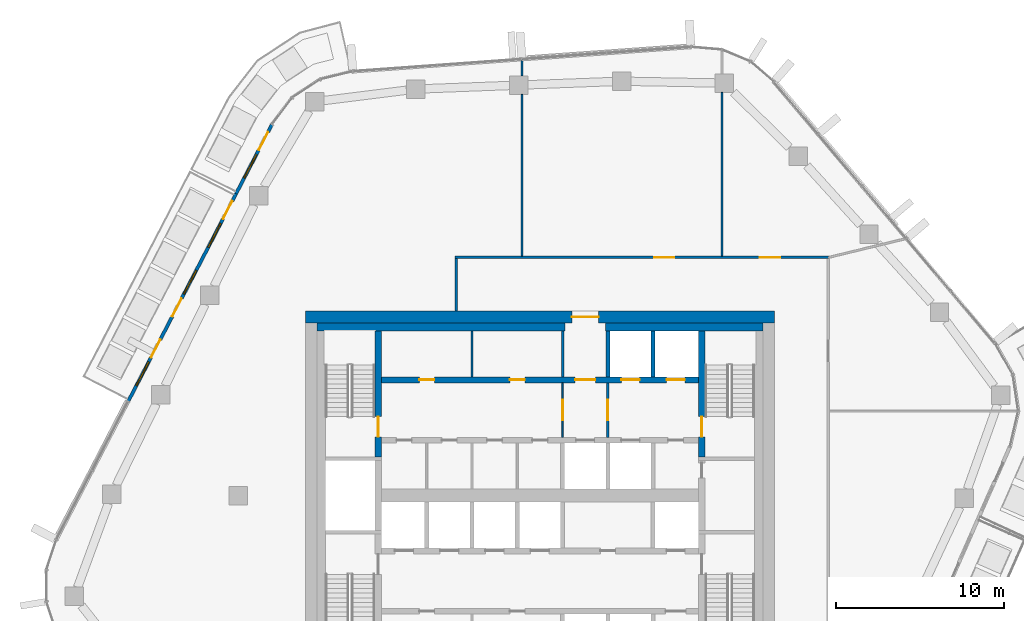
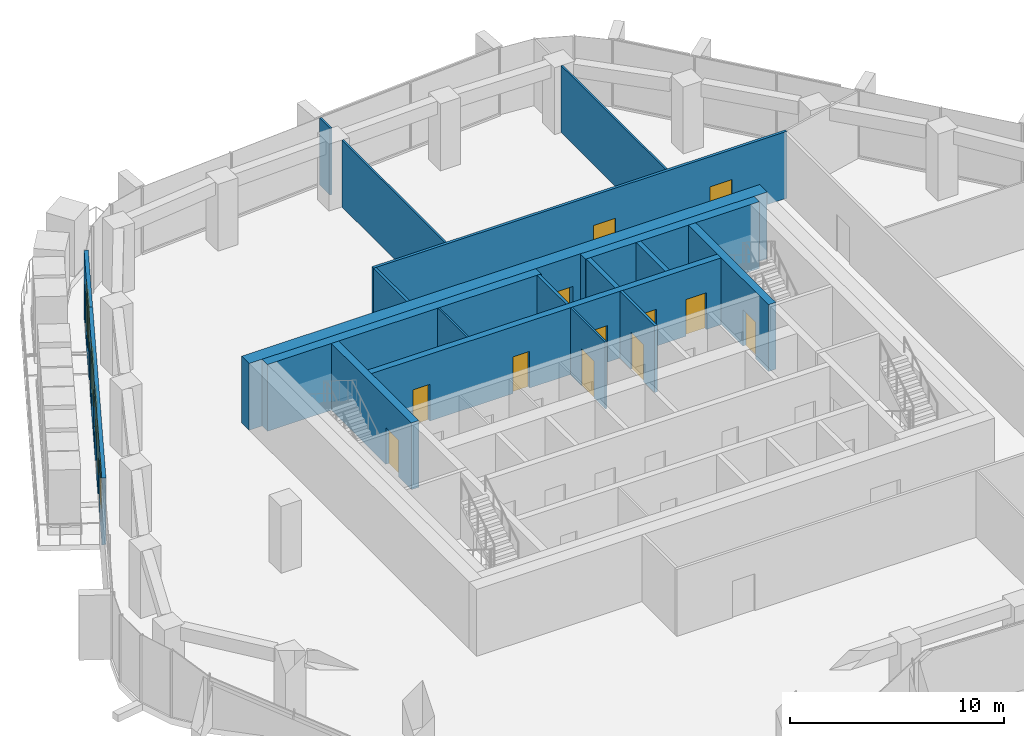
# One storey, part 13 of 21: 19 walls, 16 doors, 4 windows, 20 openings.
"""IFC4 building model written with IfcOpenShell, lengths in metres."""

from ifc_helpers import new_model, si_unit, direction, frame, frame_2d, origin, place, context, subcontext, project, spatial, rectangle, extrude, material, layer, layer_set, type_object, element, fill, save


model = new_model("IFC4")

# Units and contexts
model_context = context("Model", 3, precision=1e-05, world=origin(), true_north=direction((0.0, 1.0)))
body_context = subcontext(model_context, "Body", "Model", "MODEL_VIEW")
ifc_project = project(units=[si_unit("LENGTHUNIT", "METRE"), si_unit("AREAUNIT", "SQUARE_METRE"), si_unit("VOLUMEUNIT", "CUBIC_METRE"), si_unit("PLANEANGLEUNIT", "RADIAN"), si_unit("MASSUNIT", "GRAM", prefix="KILO")], contexts=[model_context])

# Site, building, storey
site_placement = place(None, origin())
site = spatial("IfcSite", under=ifc_project, at=site_placement, CompositionType="ELEMENT")
building_placement = place(site_placement, origin())
building = spatial("IfcBuilding", under=site, at=building_placement, Name="Dongbaek Canopy Tower", CompositionType="ELEMENT")
storey_placement = place(building_placement, frame((0.0, 0.0, 274.800048828125)))
storey = spatial("IfcBuildingStorey", under=building, at=storey_placement, Name="L58", CompositionType="ELEMENT", Elevation=274.800048828125)

# Wall, openings, doors
ifc_material_1 = material(Name="Concrete C60/75", Category="concrete")
ifc_layer_1 = layer(ifc_material_1, 0.35009765625)
ifc_layer_set_1 = layer_set([ifc_layer_1], Name="Core lobby wall 350 Concrete C60/75")
wall_type_1 = type_object("IfcWallType", Name="Core lobby wall 350 Concrete C60/75", PredefinedType="SHEAR", material=ifc_layer_set_1)
wall_1_placement = place(storey_placement, frame((-9.449951171875, 6.89990234375, 0.0), z_axis=(0.0, 0.0, 1.0), x_axis=(1.0, 0.0, 0.0)))
wall_1 = element("IfcWall", 1, at=wall_1_placement, inside=storey, type_object=wall_type_1, Name="Core wall", PredefinedType="SHEAR", context=body_context, shape_type="SweptSolid", body=[
    extrude(rectangle(XDim=18.89990234375, YDim=0.35009765625, at=frame_2d((9.449951171875, 0.0))), origin(), (0.0, 0.0, 1.0), 3.820068359375),
])
opening_1_placement = place(wall_1_placement, frame((11.550048828125, 0.0, 0.0)))
opening_1 = element("IfcOpeningElement", 2, at=opening_1_placement, cuts=wall_1, Name="Opening L58-D008", PredefinedType="OPENING", context=body_context, shape_type="SweptSolid", body=[
    extrude(rectangle(XDim=1.199951171875, YDim=2.10009765625, at=frame_2d((0.60009765625, 1.050048828125))), frame((0.0, 0.18505859375, 0.0), z_axis=(0.0, -1.0, 0.0), x_axis=(1.0, 0.0, 0.0)), (0.0, 0.0, 1.0), 0.3701171875),
])
opening_2_placement = place(wall_1_placement, frame((14.300048828125, 0.0, 0.0)))
opening_2 = element("IfcOpeningElement", 3, at=opening_2_placement, cuts=wall_1, Name="Opening L58-D009", PredefinedType="OPENING", context=body_context, shape_type="SweptSolid", body=[
    extrude(rectangle(XDim=1.10009765625, YDim=2.10009765625, at=frame_2d((0.550048828125, 1.050048828125))), frame((0.0, 0.18505859375, 0.0), z_axis=(0.0, -1.0, 0.0), x_axis=(1.0, 0.0, 0.0)), (0.0, 0.0, 1.0), 0.3701171875),
])
opening_3_placement = place(wall_1_placement, frame((17.0, 0.0, 0.0)))
opening_3 = element("IfcOpeningElement", 4, at=opening_3_placement, cuts=wall_1, Name="Opening L58-D010", PredefinedType="OPENING", context=body_context, shape_type="SweptSolid", body=[
    extrude(rectangle(XDim=1.10009765625, YDim=2.10009765625, at=frame_2d((0.550048828125, 1.050048828125))), frame((0.0, 0.18505859375, 0.0), z_axis=(0.0, -1.0, 0.0), x_axis=(1.0, 0.0, 0.0)), (0.0, 0.0, 1.0), 0.3701171875),
])
opening_4_placement = place(wall_1_placement, frame((2.25, 0.0, 0.0)))
opening_4 = element("IfcOpeningElement", 5, at=opening_4_placement, cuts=wall_1, Name="Opening L58-D021", PredefinedType="OPENING", context=body_context, shape_type="SweptSolid", body=[
    extrude(rectangle(XDim=0.89990234375, YDim=2.10009765625, at=frame_2d((0.449951171875, 1.050048828125))), frame((0.0, 0.18505859375, 0.0), z_axis=(0.0, -1.0, 0.0), x_axis=(1.0, 0.0, 0.0)), (0.0, 0.0, 1.0), 0.3701171875),
])
opening_5_placement = place(wall_1_placement, frame((7.64990234375, 0.0, 0.0)))
opening_5 = element("IfcOpeningElement", 6, at=opening_5_placement, cuts=wall_1, Name="Opening L58-D022", PredefinedType="OPENING", context=body_context, shape_type="SweptSolid", body=[
    extrude(rectangle(XDim=0.89990234375, YDim=2.10009765625, at=frame_2d((0.449951171875, 1.050048828125))), frame((0.0, 0.18505859375, 0.0), z_axis=(0.0, -1.0, 0.0), x_axis=(1.0, 0.0, 0.0)), (0.0, 0.0, 1.0), 0.3701171875),
])
ifc_material_2 = material(Name="Steel", Category="steel")
door_type_1 = type_object("IfcDoorType", Name="Core room door 900 x 2100", OperationType="SINGLE_SWING_LEFT", PredefinedType="DOOR", material=ifc_material_2)
door_1_placement = place(opening_4_placement, origin())
door_1 = element("IfcDoor", 7, at=door_1_placement, inside=storey, type_object=door_type_1, Name="Door L58-D021", OperationType="SINGLE_SWING_RIGHT", OverallHeight=2.10009765625, OverallWidth=0.89990234375, PredefinedType="DOOR", context=body_context, shape_type="SweptSolid", body=[
    extrude(rectangle(XDim=0.89990234375, YDim=2.10009765625, at=frame_2d((0.449951171875, 1.050048828125))), frame((0.0, 0.02490234375, 0.0), z_axis=(0.0, -1.0, 0.0), x_axis=(1.0, 0.0, 0.0)), (0.0, 0.0, 1.0), 0.050048828125),
])
fill(opening_4, door_1)
door_2_placement = place(opening_5_placement, origin())
door_2 = element("IfcDoor", 8, at=door_2_placement, inside=storey, type_object=door_type_1, Name="Door L58-D022", OperationType="SINGLE_SWING_LEFT", OverallHeight=2.10009765625, OverallWidth=0.89990234375, PredefinedType="DOOR", context=body_context, shape_type="SweptSolid", body=[
    extrude(rectangle(XDim=0.89990234375, YDim=2.10009765625, at=frame_2d((0.449951171875, 1.050048828125))), frame((0.0, 0.02490234375, 0.0), z_axis=(0.0, -1.0, 0.0), x_axis=(1.0, 0.0, 0.0)), (0.0, 0.0, 1.0), 0.050048828125),
])
fill(opening_5, door_2)
ifc_material_3 = material(Name="Steel", Category="steel")
door_type_2 = type_object("IfcDoorType", Name="Fire lobby door 1200 x 2100", OperationType="SINGLE_SWING_LEFT", PredefinedType="DOOR", material=ifc_material_3)
door_3_placement = place(opening_1_placement, origin())
door_3 = element("IfcDoor", 9, at=door_3_placement, inside=storey, type_object=door_type_2, Name="Door L58-D008", OperationType="SINGLE_SWING_LEFT", OverallHeight=2.10009765625, OverallWidth=1.199951171875, PredefinedType="DOOR", context=body_context, shape_type="SweptSolid", body=[
    extrude(rectangle(XDim=1.199951171875, YDim=2.10009765625, at=frame_2d((0.60009765625, 1.050048828125))), frame((0.0, 0.02490234375, 0.0), z_axis=(0.0, -1.0, 0.0), x_axis=(1.0, 0.0, 0.0)), (0.0, 0.0, 1.0), 0.050048828125),
])
fill(opening_1, door_3)
ifc_material_4 = material(Name="Stainless steel", Category="steel")
door_type_3 = type_object("IfcDoorType", Name="Lift landing door 1100 x 2100", OperationType="DOUBLE_DOOR_SLIDING", PredefinedType="DOOR", material=ifc_material_4)
door_4_placement = place(opening_2_placement, origin())
door_4 = element("IfcDoor", 10, at=door_4_placement, inside=storey, type_object=door_type_3, Name="Landing door FF1", OperationType="DOUBLE_DOOR_SLIDING", OverallHeight=2.10009765625, OverallWidth=1.10009765625, PredefinedType="DOOR", context=body_context, shape_type="SweptSolid", body=[
    extrude(rectangle(XDim=1.10009765625, YDim=2.10009765625, at=frame_2d((0.550048828125, 1.050048828125))), frame((0.0, 0.02490234375, 0.0), z_axis=(0.0, -1.0, 0.0), x_axis=(1.0, 0.0, 0.0)), (0.0, 0.0, 1.0), 0.050048828125),
])
fill(opening_2, door_4)
door_5_placement = place(opening_3_placement, origin())
door_5 = element("IfcDoor", 11, at=door_5_placement, inside=storey, type_object=door_type_3, Name="Landing door FF2", OperationType="DOUBLE_DOOR_SLIDING", OverallHeight=2.10009765625, OverallWidth=1.10009765625, PredefinedType="DOOR", context=body_context, shape_type="SweptSolid", body=[
    extrude(rectangle(XDim=1.10009765625, YDim=2.10009765625, at=frame_2d((0.550048828125, 1.050048828125))), frame((0.0, 0.02490234375, 0.0), z_axis=(0.0, -1.0, 0.0), x_axis=(1.0, 0.0, 0.0)), (0.0, 0.0, 1.0), 0.050048828125),
])
fill(opening_3, door_5)

# Wall, opening, door
ifc_material_5 = material(Name="Concrete C70/85", Category="concrete")
ifc_layer_2 = layer(ifc_material_5, 0.699951171875)
ifc_layer_set_2 = layer_set([ifc_layer_2], Name="Core outer wall 700 Concrete C70/85")
wall_type_2 = type_object("IfcWallType", Name="Core outer wall 700 Concrete C70/85", PredefinedType="SHEAR", material=ifc_layer_set_2)
wall_2_placement = place(storey_placement, frame((-14.0, 10.64990234375, 0.0), z_axis=(0.0, 0.0, 1.0), x_axis=(1.0, 0.0, 0.0)))
wall_2 = element("IfcWall", 12, at=wall_2_placement, inside=storey, type_object=wall_type_2, Name="Core wall", PredefinedType="SHEAR", context=body_context, shape_type="SweptSolid", body=[
    extrude(rectangle(XDim=28.0, YDim=0.699951171875, at=frame_2d((14.0, 0.0))), origin(), (0.0, 0.0, 1.0), 3.820068359375),
])
opening_6_placement = place(wall_2_placement, frame((15.89990234375, 0.0, 0.0)))
opening_6 = element("IfcOpeningElement", 13, at=opening_6_placement, cuts=wall_2, Name="Opening L58-D007", PredefinedType="OPENING", context=body_context, shape_type="SweptSolid", body=[
    extrude(rectangle(XDim=1.60009765625, YDim=2.10009765625, at=frame_2d((0.800048828125, 1.050048828125))), frame((0.0, 0.35986328125, 0.0), z_axis=(0.0, -1.0, 0.0), x_axis=(1.0, 0.0, 0.0)), (0.0, 0.0, 1.0), 0.719970703125),
])
ifc_material_6 = material(Name="Steel", Category="steel")
door_type_4 = type_object("IfcDoorType", Name="Core exit door 1600 x 2100", OperationType="DOUBLE_DOOR_SINGLE_SWING", PredefinedType="DOOR", material=ifc_material_6)
door_6_placement = place(opening_6_placement, origin())
door_6 = element("IfcDoor", 14, at=door_6_placement, inside=storey, type_object=door_type_4, Name="Core exit door", OperationType="DOUBLE_DOOR_SINGLE_SWING", OverallHeight=2.10009765625, OverallWidth=1.60009765625, PredefinedType="DOOR", context=body_context, shape_type="SweptSolid", body=[
    extrude(rectangle(XDim=1.60009765625, YDim=2.10009765625, at=frame_2d((0.800048828125, 1.050048828125))), frame((0.0, 0.02490234375, 0.0), z_axis=(0.0, -1.0, 0.0), x_axis=(1.0, 0.0, 0.0)), (0.0, 0.0, 1.0), 0.050048828125),
])
fill(opening_6, door_6)

# Walls
ifc_material_7 = material(Name="Concrete C60/75", Category="concrete")
ifc_layer_3 = layer(ifc_material_7, 0.5)
ifc_layer_set_3 = layer_set([ifc_layer_3], Name="Core wall lining 500 Concrete C60/75")
wall_type_3 = type_object("IfcWallType", Name="Core wall lining 500 Concrete C60/75", PredefinedType="SHEAR", material=ifc_layer_set_3)
wall_3_placement = place(storey_placement, frame((-13.300048828125, 10.050048828125, 0.0), z_axis=(0.0, 0.0, 1.0), x_axis=(1.0, 0.0, 0.0)))
element("IfcWall", 15, at=wall_3_placement, inside=storey, type_object=wall_type_3, Name="Core wall lining", PredefinedType="SHEAR", context=body_context, shape_type="SweptSolid", body=[
    extrude(rectangle(XDim=14.800048828125, YDim=0.5, at=frame_2d((7.39990234375, 0.0))), origin(), (0.0, 0.0, 1.0), 3.820068359375),
])
wall_4_placement = place(storey_placement, frame((3.89990234375, 10.050048828125, 0.0), z_axis=(0.0, 0.0, 1.0), x_axis=(1.0, 0.0, 0.0)))
element("IfcWall", 16, at=wall_4_placement, inside=storey, type_object=wall_type_3, Name="Core wall lining", PredefinedType="SHEAR", context=body_context, shape_type="SweptSolid", body=[
    extrude(rectangle(XDim=9.400146484375, YDim=0.5, at=frame_2d((4.7001953125, 0.0))), origin(), (0.0, 0.0, 1.0), 3.820068359375),
])

# Wall, openings, doors
ifc_material_8 = material(Name="Gypsum board partition, steel stud, 2 x 15 mm fire board", Category="steel")
ifc_layer_4 = layer(ifc_material_8, 0.14990234375)
ifc_layer_set_4 = layer_set([ifc_layer_4], Name="Fire-rated partition 150 gypsum board")
wall_type_4 = type_object("IfcWallType", Name="Fire-rated partition 150 gypsum board", PredefinedType="PARTITIONING", material=ifc_layer_set_4)
wall_5_placement = place(storey_placement, frame((-5.074951171875, 14.199951171875, 0.0), z_axis=(0.0, 0.0, 1.0), x_axis=(1.0, 0.0, 0.0)))
wall_5 = element("IfcWall", 17, at=wall_5_placement, inside=storey, type_object=wall_type_4, Name="Corridor partition", PredefinedType="PARTITIONING", context=body_context, shape_type="SweptSolid", body=[
    extrude(rectangle(XDim=22.349853515625, YDim=0.14990234375, at=frame_2d((11.1748046875, 0.0))), origin(), (0.0, 0.0, 1.0), 3.820068359375),
])
opening_7_placement = place(wall_5_placement, frame((18.193115234375, 0.0, 0.0)))
opening_7 = element("IfcOpeningElement", 18, at=opening_7_placement, cuts=wall_5, Name="Opening L58-D004", PredefinedType="OPENING", context=body_context, shape_type="SweptSolid", body=[
    extrude(rectangle(XDim=1.199951171875, YDim=2.10009765625, at=frame_2d((0.60009765625, 1.050048828125))), frame((0.0, 0.0849609375, 0.0), z_axis=(0.0, -1.0, 0.0), x_axis=(1.0, 0.0, 0.0)), (0.0, 0.0, 1.0), 0.169921875),
])
opening_8_placement = place(wall_5_placement, frame((11.887451171875, 0.0, 0.0)))
opening_8 = element("IfcOpeningElement", 19, at=opening_8_placement, cuts=wall_5, Name="Opening L58-D005", PredefinedType="OPENING", context=body_context, shape_type="SweptSolid", body=[
    extrude(rectangle(XDim=1.199951171875, YDim=2.10009765625, at=frame_2d((0.60009765625, 1.050048828125))), frame((0.0, 0.0849609375, 0.0), z_axis=(0.0, -1.0, 0.0), x_axis=(1.0, 0.0, 0.0)), (0.0, 0.0, 1.0), 0.169921875),
])
ifc_material_9 = material(Name="Timber veneered door leaf", Category="wood")
door_type_5 = type_object("IfcDoorType", Name="Room door 1200 x 2100", OperationType="SINGLE_SWING_LEFT", PredefinedType="DOOR", material=ifc_material_9)
door_7_placement = place(opening_7_placement, origin())
door_7 = element("IfcDoor", 20, at=door_7_placement, inside=storey, type_object=door_type_5, Name="Door L58-D004", OperationType="SINGLE_SWING_LEFT", OverallHeight=2.10009765625, OverallWidth=1.199951171875, PredefinedType="DOOR", context=body_context, shape_type="SweptSolid", body=[
    extrude(rectangle(XDim=1.199951171875, YDim=2.10009765625, at=frame_2d((0.60009765625, 1.050048828125))), frame((0.0, 0.02490234375, 0.0), z_axis=(0.0, -1.0, 0.0), x_axis=(1.0, 0.0, 0.0)), (0.0, 0.0, 1.0), 0.050048828125),
])
fill(opening_7, door_7)
door_8_placement = place(opening_8_placement, origin())
door_8 = element("IfcDoor", 21, at=door_8_placement, inside=storey, type_object=door_type_5, Name="Door L58-D005", OperationType="SINGLE_SWING_RIGHT", OverallHeight=2.10009765625, OverallWidth=1.199951171875, PredefinedType="DOOR", context=body_context, shape_type="SweptSolid", body=[
    extrude(rectangle(XDim=1.199951171875, YDim=2.10009765625, at=frame_2d((0.60009765625, 1.050048828125))), frame((0.0, 0.02490234375, 0.0), z_axis=(0.0, -1.0, 0.0), x_axis=(1.0, 0.0, 0.0)), (0.0, 0.0, 1.0), 0.050048828125),
])
fill(opening_8, door_8)

# Wall
wall_6_placement = place(storey_placement, frame((-5.0, 11.0, 0.0), z_axis=(0.0, 0.0, 1.0), x_axis=(0.0, 1.0, 0.0)))
element("IfcWall", 22, at=wall_6_placement, inside=storey, type_object=wall_type_4, Name="Corridor partition", PredefinedType="PARTITIONING", context=body_context, shape_type="SweptSolid", body=[
    extrude(rectangle(XDim=3.125, YDim=0.14990234375, at=frame_2d((1.5625, 0.0))), origin(), (0.0, 0.0, 1.0), 3.820068359375),
])

# Wall, opening, door
wall_7_placement = place(storey_placement, frame((4.050048828125, 6.72509765625, 0.0), z_axis=(0.0, 0.0, 1.0), x_axis=(0.0, -1.0, 0.0)))
wall_7 = element("IfcWall", 23, at=wall_7_placement, inside=storey, type_object=wall_type_4, Name="Fire lobby partition", PredefinedType="PARTITIONING", context=body_context, shape_type="SweptSolid", body=[
    extrude(rectangle(XDim=3.25, YDim=0.14990234375, at=frame_2d((1.625, 0.0))), origin(), (0.0, 0.0, 1.0), 3.820068359375),
])
opening_9_placement = place(wall_7_placement, frame((1.02490234375, 0.0, 0.0)))
opening_9 = element("IfcOpeningElement", 24, at=opening_9_placement, cuts=wall_7, Name="Opening L58-D035", PredefinedType="OPENING", context=body_context, shape_type="SweptSolid", body=[
    extrude(rectangle(XDim=1.199951171875, YDim=2.10009765625, at=frame_2d((0.60009765625, 1.050048828125))), frame((0.0, 0.0849609375, 0.0), z_axis=(0.0, -1.0, 0.0), x_axis=(1.0, 0.0, 0.0)), (0.0, 0.0, 1.0), 0.169921875),
])
door_9_placement = place(opening_9_placement, origin())
door_9 = element("IfcDoor", 25, at=door_9_placement, inside=storey, type_object=door_type_2, Name="Door L58-D035", OperationType="SINGLE_SWING_RIGHT", OverallHeight=2.10009765625, OverallWidth=1.199951171875, PredefinedType="DOOR", context=body_context, shape_type="SweptSolid", body=[
    extrude(rectangle(XDim=1.199951171875, YDim=2.10009765625, at=frame_2d((0.60009765625, 1.050048828125))), frame((0.0, 0.02490234375, 0.0), z_axis=(0.0, -1.0, 0.0), x_axis=(1.0, 0.0, 0.0)), (0.0, 0.0, 1.0), 0.050048828125),
])
fill(opening_9, door_9)

# Walls
wall_8_placement = place(storey_placement, frame((1.35009765625, 7.074951171875, 0.0), z_axis=(0.0, 0.0, 1.0), x_axis=(0.0, 1.0, 0.0)))
element("IfcWall", 26, at=wall_8_placement, inside=storey, type_object=wall_type_4, Name="Fire lobby partition", PredefinedType="PARTITIONING", context=body_context, shape_type="SweptSolid", body=[
    extrude(rectangle(XDim=2.72509765625, YDim=0.14990234375, at=frame_2d((1.362548828125, 0.0))), origin(), (0.0, 0.0, 1.0), 3.820068359375),
])
ifc_material_10 = material(Name="Concrete C40/50", Category="concrete")
ifc_layer_5 = layer(ifc_material_10, 0.25)
ifc_layer_set_5 = layer_set([ifc_layer_5], Name="Lift shaft wall 250 Concrete C40/50")
wall_type_5 = type_object("IfcWallType", Name="Lift shaft wall 250 Concrete C40/50", PredefinedType="SOLIDWALL", material=ifc_layer_set_5)
for number, where, z_axis, x_axis, name in (
    (27, (6.75, 7.074951171875, 0.0), (0.0, 0.0, 1.0), (0.0, 1.0, 0.0), "Lift shaft wall"),
    (28, (4.050048828125, 7.074951171875, 0.0), (0.0, 0.0, 1.0), (0.0, 1.0, 0.0), "Lift shaft wall"),
):
    element("IfcWall", number, at=place(storey_placement, frame(where, z_axis=z_axis, x_axis=x_axis)), inside=storey, type_object=wall_type_5, Name=name, PredefinedType="SOLIDWALL", context=body_context, shape_type="SweptSolid", body=[
        extrude(rectangle(XDim=2.72509765625, YDim=0.25, at=frame_2d((1.362548828125, 0.0))), origin(), (0.0, 0.0, 1.0), 3.820068359375),
    ])
ifc_material_11 = material(Name="Gypsum board partition, steel stud, 2 x 12.5 mm board", Category="steel")
ifc_layer_6 = layer(ifc_material_11, 0.10009765625)
ifc_layer_set_6 = layer_set([ifc_layer_6], Name="Partition 100 gypsum board")
wall_type_6 = type_object("IfcWallType", Name="Partition 100 gypsum board", PredefinedType="PARTITIONING", material=ifc_layer_set_6)
wall_9_placement = place(storey_placement, frame((10.85302734375, 14.27490234375, 0.0), z_axis=(0.0, 0.0, 1.0), x_axis=(0.0, 1.0, 0.0)))
element("IfcWall", 29, at=wall_9_placement, inside=storey, type_object=wall_type_6, Name="Partition", PredefinedType="PARTITIONING", context=body_context, shape_type="SweptSolid", body=[
    extrude(rectangle(XDim=9.774169921875, YDim=0.10009765625, at=frame_2d((4.88720703125, 0.0))), origin(), (0.0, 0.0, 1.0), 3.820068359375),
])
wall_10_placement = place(storey_placement, frame((-1.075927734375, 14.27490234375, 0.0), z_axis=(0.0, 0.0, 1.0), x_axis=(0.0, 1.0, 0.0)))
element("IfcWall", 30, at=wall_10_placement, inside=storey, type_object=wall_type_6, Name="Partition", PredefinedType="PARTITIONING", context=body_context, shape_type="SweptSolid", body=[
    extrude(rectangle(XDim=9.654052734375, YDim=0.10009765625, at=frame_2d((4.8271484375, 0.0))), origin(), (0.0, 0.0, 1.0), 3.820068359375),
])
wall_11_placement = place(storey_placement, frame((-1.075927734375, 25.029052734375, 0.0), z_axis=(0.0, 0.0, 1.0), x_axis=(0.0, 1.0, 0.0)))
element("IfcWall", 31, at=wall_11_placement, inside=storey, type_object=wall_type_6, Name="Partition", PredefinedType="PARTITIONING", context=body_context, shape_type="SweptSolid", body=[
    extrude(rectangle(XDim=0.97607421875, YDim=0.10009765625, at=frame_2d((0.488037109375, 0.0))), origin(), (0.0, 0.0, 1.0), 3.820068359375),
])

# Wall, opening, door
wall_12_placement = place(storey_placement, frame((1.35009765625, 6.72509765625, 0.0), z_axis=(0.0, 0.0, 1.0), x_axis=(0.0, -1.0, 0.0)))
wall_12 = element("IfcWall", 32, at=wall_12_placement, inside=storey, type_object=wall_type_6, Name="Core partition", PredefinedType="PARTITIONING", context=body_context, shape_type="SweptSolid", body=[
    extrude(rectangle(XDim=3.25, YDim=0.10009765625, at=frame_2d((1.625, 0.0))), origin(), (0.0, 0.0, 1.0), 3.820068359375),
])
opening_10_placement = place(wall_12_placement, frame((1.02490234375, 0.0, 0.0)))
opening_10 = element("IfcOpeningElement", 33, at=opening_10_placement, cuts=wall_12, Name="Opening L58-D034", PredefinedType="OPENING", context=body_context, shape_type="SweptSolid", body=[
    extrude(rectangle(XDim=1.199951171875, YDim=2.10009765625, at=frame_2d((0.60009765625, 1.050048828125))), frame((0.0, 0.06005859375, 0.0), z_axis=(0.0, -1.0, 0.0), x_axis=(1.0, 0.0, 0.0)), (0.0, 0.0, 1.0), 0.1201171875),
])
door_10_placement = place(opening_10_placement, origin())
door_10 = element("IfcDoor", 34, at=door_10_placement, inside=storey, type_object=door_type_2, Name="Door L58-D034", OperationType="SINGLE_SWING_LEFT", OverallHeight=2.10009765625, OverallWidth=1.199951171875, PredefinedType="DOOR", context=body_context, shape_type="SweptSolid", body=[
    extrude(rectangle(XDim=1.199951171875, YDim=2.10009765625, at=frame_2d((0.60009765625, 1.050048828125))), frame((0.0, 0.02490234375, 0.0), z_axis=(0.0, -1.0, 0.0), x_axis=(1.0, 0.0, 0.0)), (0.0, 0.0, 1.0), 0.050048828125),
])
fill(opening_10, door_10)

# Wall
wall_13_placement = place(storey_placement, frame((-4.050048828125, 7.074951171875, 0.0), z_axis=(0.0, 0.0, 1.0), x_axis=(0.0, 1.0, 0.0)))
element("IfcWall", 35, at=wall_13_placement, inside=storey, type_object=wall_type_6, Name="Core partition", PredefinedType="PARTITIONING", context=body_context, shape_type="SweptSolid", body=[
    extrude(rectangle(XDim=2.72509765625, YDim=0.10009765625, at=frame_2d((1.362548828125, 0.0))), origin(), (0.0, 0.0, 1.0), 3.820068359375),
])

# Wall, opening, door
ifc_material_12 = material(Name="Concrete C60/75", Category="concrete")
ifc_layer_7 = layer(ifc_material_12, 0.39990234375)
ifc_layer_set_7 = layer_set([ifc_layer_7], Name="Stair wall 400 Concrete C60/75")
wall_type_7 = type_object("IfcWallType", Name="Stair wall 400 Concrete C60/75", PredefinedType="SHEAR", material=ifc_layer_set_7)
wall_14_placement = place(storey_placement, frame((9.64990234375, 9.800048828125, 0.0), z_axis=(0.0, 0.0, 1.0), x_axis=(0.0, -1.0, 0.0)))
wall_14 = element("IfcWall", 36, at=wall_14_placement, inside=storey, type_object=wall_type_7, Name="Stair wall", PredefinedType="SHEAR", context=body_context, shape_type="SweptSolid", body=[
    extrude(rectangle(XDim=7.5, YDim=0.39990234375, at=frame_2d((3.75, 0.0))), origin(), (0.0, 0.0, 1.0), 3.820068359375),
])
opening_11_placement = place(wall_14_placement, frame((5.10009765625, 0.0, 0.0)))
opening_11 = element("IfcOpeningElement", 37, at=opening_11_placement, cuts=wall_14, Name="Opening L58-D030", PredefinedType="OPENING", context=body_context, shape_type="SweptSolid", body=[
    extrude(rectangle(XDim=1.199951171875, YDim=2.10009765625, at=frame_2d((0.60009765625, 1.050048828125))), frame((0.0, 0.2099609375, 0.0), z_axis=(0.0, -1.0, 0.0), x_axis=(1.0, 0.0, 0.0)), (0.0, 0.0, 1.0), 0.419921875),
])
ifc_material_13 = material(Name="Steel", Category="steel")
door_type_6 = type_object("IfcDoorType", Name="Stair door 1200 x 2100", OperationType="SINGLE_SWING_LEFT", PredefinedType="DOOR", material=ifc_material_13)
door_11_placement = place(opening_11_placement, origin())
door_11 = element("IfcDoor", 38, at=door_11_placement, inside=storey, type_object=door_type_6, Name="Stair A door", OperationType="SINGLE_SWING_LEFT", OverallHeight=2.10009765625, OverallWidth=1.199951171875, PredefinedType="DOOR", context=body_context, shape_type="SweptSolid", body=[
    extrude(rectangle(XDim=1.199951171875, YDim=2.10009765625, at=frame_2d((0.60009765625, 1.050048828125))), frame((0.0, 0.02490234375, 0.0), z_axis=(0.0, -1.0, 0.0), x_axis=(1.0, 0.0, 0.0)), (0.0, 0.0, 1.0), 0.050048828125),
])
fill(opening_11, door_11)

wall_15_placement = place(storey_placement, frame((-9.64990234375, 2.300048828125, 0.0), z_axis=(0.0, 0.0, 1.0), x_axis=(0.0, 1.0, 0.0)))
wall_15 = element("IfcWall", 39, at=wall_15_placement, inside=storey, type_object=wall_type_7, Name="Stair wall", PredefinedType="SHEAR", context=body_context, shape_type="SweptSolid", body=[
    extrude(rectangle(XDim=7.5, YDim=0.39990234375, at=frame_2d((3.75, 0.0))), origin(), (0.0, 0.0, 1.0), 3.820068359375),
])
opening_12_placement = place(wall_15_placement, frame((1.199951171875, 0.0, 0.0)))
opening_12 = element("IfcOpeningElement", 40, at=opening_12_placement, cuts=wall_15, Name="Opening L58-D031", PredefinedType="OPENING", context=body_context, shape_type="SweptSolid", body=[
    extrude(rectangle(XDim=1.199951171875, YDim=2.10009765625, at=frame_2d((0.60009765625, 1.050048828125))), frame((0.0, 0.2099609375, 0.0), z_axis=(0.0, -1.0, 0.0), x_axis=(1.0, 0.0, 0.0)), (0.0, 0.0, 1.0), 0.419921875),
])
door_12_placement = place(opening_12_placement, origin())
door_12 = element("IfcDoor", 41, at=door_12_placement, inside=storey, type_object=door_type_6, Name="Stair C door", OperationType="SINGLE_SWING_RIGHT", OverallHeight=2.10009765625, OverallWidth=1.199951171875, PredefinedType="DOOR", context=body_context, shape_type="SweptSolid", body=[
    extrude(rectangle(XDim=1.199951171875, YDim=2.10009765625, at=frame_2d((0.60009765625, 1.050048828125))), frame((0.0, 0.02490234375, 0.0), z_axis=(0.0, -1.0, 0.0), x_axis=(1.0, 0.0, 0.0)), (0.0, 0.0, 1.0), 0.050048828125),
])
fill(opening_12, door_12)

# Wall, openings, doors, windows
ifc_material_14 = material(Name="Aluminium window wall", Category="aluminium")
ifc_layer_8 = layer(ifc_material_14, 0.199951171875)
ifc_layer_set_8 = layer_set([ifc_layer_8], Name="Window wall 200")
wall_type_8 = type_object("IfcWallType", Name="Window wall 200", PredefinedType="SOLIDWALL", material=ifc_layer_set_8)
wall_16_placement = place(storey_placement, frame((-18.12744140625, 18.004150390625, 0.0), z_axis=(0.0, 0.0, 1.0), x_axis=(-0.460887329436, -0.887458657947, 0.0)))
wall_16 = element("IfcWall", 42, at=wall_16_placement, inside=storey, type_object=wall_type_8, Name="Window wall L58 1", PredefinedType="SOLIDWALL", context=body_context, shape_type="SweptSolid", body=[
    extrude(rectangle(XDim=13.95849609375, YDim=0.199951171875, at=frame_2d((6.979248046875, 0.0))), origin(), (0.0, 0.0, 1.0), 3.820068359375),
])
opening_13_placement = place(wall_16_placement, frame((2.0, 0.0, 0.60009765625)))
opening_13 = element("IfcOpeningElement", 43, at=opening_13_placement, cuts=wall_16, Name="Opening W1", PredefinedType="OPENING", context=body_context, shape_type="SweptSolid", body=[
    extrude(rectangle(XDim=1.60009765625, YDim=2.39990234375, at=frame_2d((0.800048828125, 1.199951171875))), frame((0.0, 0.10986328125, 0.0), z_axis=(0.0, -1.0, 0.0), x_axis=(1.0, 0.0, 0.0)), (0.0, 0.0, 1.0), 0.219970703125),
])
opening_14_placement = place(wall_16_placement, frame((0.5, 0.0, 0.0)))
opening_14 = element("IfcOpeningElement", 44, at=opening_14_placement, cuts=wall_16, Name="Opening L58-B01", PredefinedType="OPENING", context=body_context, shape_type="SweptSolid", body=[
    extrude(rectangle(XDim=1.199951171875, YDim=2.39990234375, at=frame_2d((0.60009765625, 1.199951171875))), frame((0.0, 0.10986328125, 0.0), z_axis=(0.0, -1.0, 0.0), x_axis=(1.0, 0.0, 0.0)), (0.0, 0.0, 1.0), 0.219970703125),
])
opening_15_placement = place(wall_16_placement, frame((5.15283203125, 0.0, 0.60009765625)))
opening_15 = element("IfcOpeningElement", 45, at=opening_15_placement, cuts=wall_16, Name="Opening W1", PredefinedType="OPENING", context=body_context, shape_type="SweptSolid", body=[
    extrude(rectangle(XDim=1.60009765625, YDim=2.39990234375, at=frame_2d((0.800048828125, 1.199951171875))), frame((0.0, 0.10986328125, 0.0), z_axis=(0.0, -1.0, 0.0), x_axis=(1.0, 0.0, 0.0)), (0.0, 0.0, 1.0), 0.219970703125),
])
opening_16_placement = place(wall_16_placement, frame((7.052978515625, 0.0, 0.0)))
opening_16 = element("IfcOpeningElement", 46, at=opening_16_placement, cuts=wall_16, Name="Opening L58-B02", PredefinedType="OPENING", context=body_context, shape_type="SweptSolid", body=[
    extrude(rectangle(XDim=1.199951171875, YDim=2.39990234375, at=frame_2d((0.60009765625, 1.199951171875))), frame((0.0, 0.10986328125, 0.0), z_axis=(0.0, -1.0, 0.0), x_axis=(1.0, 0.0, 0.0)), (0.0, 0.0, 1.0), 0.219970703125),
])
opening_17_placement = place(wall_16_placement, frame((11.3056640625, 0.0, 0.60009765625)))
opening_17 = element("IfcOpeningElement", 47, at=opening_17_placement, cuts=wall_16, Name="Opening W1", PredefinedType="OPENING", context=body_context, shape_type="SweptSolid", body=[
    extrude(rectangle(XDim=1.60009765625, YDim=2.39990234375, at=frame_2d((0.800048828125, 1.199951171875))), frame((0.0, 0.10986328125, 0.0), z_axis=(0.0, -1.0, 0.0), x_axis=(1.0, 0.0, 0.0)), (0.0, 0.0, 1.0), 0.219970703125),
])
opening_18_placement = place(wall_16_placement, frame((9.8056640625, 0.0, 0.0)))
opening_18 = element("IfcOpeningElement", 48, at=opening_18_placement, cuts=wall_16, Name="Opening L58-B03", PredefinedType="OPENING", context=body_context, shape_type="SweptSolid", body=[
    extrude(rectangle(XDim=1.199951171875, YDim=2.39990234375, at=frame_2d((0.60009765625, 1.199951171875))), frame((0.0, 0.10986328125, 0.0), z_axis=(0.0, -1.0, 0.0), x_axis=(1.0, 0.0, 0.0)), (0.0, 0.0, 1.0), 0.219970703125),
])
ifc_material_15 = material(Name="Clear glazing in aluminium frame", Category="aluminium")
door_type_7 = type_object("IfcDoorType", Name="Balcony door BD1 1200 x 2400", OperationType="SLIDING_TO_LEFT", PredefinedType="DOOR", material=ifc_material_15)
door_13_placement = place(opening_14_placement, origin())
door_13 = element("IfcDoor", 49, at=door_13_placement, inside=storey, type_object=door_type_7, Name="Balcony door L58-B01", OperationType="SLIDING_TO_LEFT", OverallHeight=2.39990234375, OverallWidth=1.199951171875, PredefinedType="DOOR", context=body_context, shape_type="SweptSolid", body=[
    extrude(rectangle(XDim=1.199951171875, YDim=2.39990234375, at=frame_2d((0.60009765625, 1.199951171875))), frame((0.0, 0.02490234375, 0.0), z_axis=(0.0, -1.0, 0.0), x_axis=(1.0, 0.0, 0.0)), (0.0, 0.0, 1.0), 0.050048828125),
])
fill(opening_14, door_13)
door_14_placement = place(opening_16_placement, origin())
door_14 = element("IfcDoor", 50, at=door_14_placement, inside=storey, type_object=door_type_7, Name="Balcony door L58-B02", OperationType="SLIDING_TO_LEFT", OverallHeight=2.39990234375, OverallWidth=1.199951171875, PredefinedType="DOOR", context=body_context, shape_type="SweptSolid", body=[
    extrude(rectangle(XDim=1.199951171875, YDim=2.39990234375, at=frame_2d((0.60009765625, 1.199951171875))), frame((0.0, 0.02490234375, 0.0), z_axis=(0.0, -1.0, 0.0), x_axis=(1.0, 0.0, 0.0)), (0.0, 0.0, 1.0), 0.050048828125),
])
fill(opening_16, door_14)
door_15_placement = place(opening_18_placement, origin())
door_15 = element("IfcDoor", 51, at=door_15_placement, inside=storey, type_object=door_type_7, Name="Balcony door L58-B03", OperationType="SLIDING_TO_LEFT", OverallHeight=2.39990234375, OverallWidth=1.199951171875, PredefinedType="DOOR", context=body_context, shape_type="SweptSolid", body=[
    extrude(rectangle(XDim=1.199951171875, YDim=2.39990234375, at=frame_2d((0.60009765625, 1.199951171875))), frame((0.0, 0.02490234375, 0.0), z_axis=(0.0, -1.0, 0.0), x_axis=(1.0, 0.0, 0.0)), (0.0, 0.0, 1.0), 0.050048828125),
])
fill(opening_18, door_15)
ifc_material_16 = material(Name="Clear glazing in aluminium frame", Category="aluminium")
window_type = type_object("IfcWindowType", Name="Window W1 1600 x 2400", PartitioningType="SINGLE_PANEL", PredefinedType="WINDOW", material=ifc_material_16)
window_1_placement = place(opening_13_placement, origin())
window_1 = element("IfcWindow", 52, at=window_1_placement, inside=storey, type_object=window_type, Name="Window L58 1.1", OverallHeight=2.39990234375, OverallWidth=1.60009765625, PartitioningType="SINGLE_PANEL", PredefinedType="WINDOW", context=body_context, shape_type="SweptSolid", body=[
    extrude(rectangle(XDim=1.60009765625, YDim=2.39990234375, at=frame_2d((0.800048828125, 1.199951171875))), frame((0.0, 0.030029296875, 0.0), z_axis=(0.0, -1.0, 0.0), x_axis=(1.0, 0.0, 0.0)), (0.0, 0.0, 1.0), 0.06005859375),
])
fill(opening_13, window_1)
window_2_placement = place(opening_15_placement, origin())
window_2 = element("IfcWindow", 53, at=window_2_placement, inside=storey, type_object=window_type, Name="Window L58 1.2", OverallHeight=2.39990234375, OverallWidth=1.60009765625, PartitioningType="SINGLE_PANEL", PredefinedType="WINDOW", context=body_context, shape_type="SweptSolid", body=[
    extrude(rectangle(XDim=1.60009765625, YDim=2.39990234375, at=frame_2d((0.800048828125, 1.199951171875))), frame((0.0, 0.030029296875, 0.0), z_axis=(0.0, -1.0, 0.0), x_axis=(1.0, 0.0, 0.0)), (0.0, 0.0, 1.0), 0.06005859375),
])
fill(opening_15, window_2)
window_3_placement = place(opening_17_placement, origin())
window_3 = element("IfcWindow", 54, at=window_3_placement, inside=storey, type_object=window_type, Name="Window L58 1.3", OverallHeight=2.39990234375, OverallWidth=1.60009765625, PartitioningType="SINGLE_PANEL", PredefinedType="WINDOW", context=body_context, shape_type="SweptSolid", body=[
    extrude(rectangle(XDim=1.60009765625, YDim=2.39990234375, at=frame_2d((0.800048828125, 1.199951171875))), frame((0.0, 0.030029296875, 0.0), z_axis=(0.0, -1.0, 0.0), x_axis=(1.0, 0.0, 0.0)), (0.0, 0.0, 1.0), 0.06005859375),
])
fill(opening_17, window_3)

# Wall, openings, door, window
wall_17_placement = place(storey_placement, frame((-15.987060546875, 22.1259765625, 0.0), z_axis=(0.0, 0.0, 1.0), x_axis=(-0.460849508125, -0.887478298811, 0.0)))
wall_17 = element("IfcWall", 55, at=wall_17_placement, inside=storey, type_object=wall_type_8, Name="Window wall L58 5", PredefinedType="SOLIDWALL", context=body_context, shape_type="SweptSolid", body=[
    extrude(rectangle(XDim=4.64453125, YDim=0.199951171875, at=frame_2d((2.322265625, 0.0))), origin(), (0.0, 0.0, 1.0), 3.820068359375),
])
opening_19_placement = place(wall_17_placement, frame((2.0, 0.0, 0.60009765625)))
opening_19 = element("IfcOpeningElement", 56, at=opening_19_placement, cuts=wall_17, Name="Opening W1", PredefinedType="OPENING", context=body_context, shape_type="SweptSolid", body=[
    extrude(rectangle(XDim=1.60009765625, YDim=2.39990234375, at=frame_2d((0.800048828125, 1.199951171875))), frame((0.0, 0.10986328125, 0.0), z_axis=(0.0, -1.0, 0.0), x_axis=(1.0, 0.0, 0.0)), (0.0, 0.0, 1.0), 0.219970703125),
])
opening_20_placement = place(wall_17_placement, frame((0.5, 0.0, 0.0)))
opening_20 = element("IfcOpeningElement", 57, at=opening_20_placement, cuts=wall_17, Name="Opening L58-B04", PredefinedType="OPENING", context=body_context, shape_type="SweptSolid", body=[
    extrude(rectangle(XDim=1.199951171875, YDim=2.39990234375, at=frame_2d((0.60009765625, 1.199951171875))), frame((0.0, 0.10986328125, 0.0), z_axis=(0.0, -1.0, 0.0), x_axis=(1.0, 0.0, 0.0)), (0.0, 0.0, 1.0), 0.219970703125),
])
door_16_placement = place(opening_20_placement, origin())
door_16 = element("IfcDoor", 58, at=door_16_placement, inside=storey, type_object=door_type_7, Name="Balcony door L58-B04", OperationType="SLIDING_TO_LEFT", OverallHeight=2.39990234375, OverallWidth=1.199951171875, PredefinedType="DOOR", context=body_context, shape_type="SweptSolid", body=[
    extrude(rectangle(XDim=1.199951171875, YDim=2.39990234375, at=frame_2d((0.60009765625, 1.199951171875))), frame((0.0, 0.02490234375, 0.0), z_axis=(0.0, -1.0, 0.0), x_axis=(1.0, 0.0, 0.0)), (0.0, 0.0, 1.0), 0.050048828125),
])
fill(opening_20, door_16)
window_4_placement = place(opening_19_placement, origin())
window_4 = element("IfcWindow", 59, at=window_4_placement, inside=storey, type_object=window_type, Name="Window L58 5.1", OverallHeight=2.39990234375, OverallWidth=1.60009765625, PartitioningType="SINGLE_PANEL", PredefinedType="WINDOW", context=body_context, shape_type="SweptSolid", body=[
    extrude(rectangle(XDim=1.60009765625, YDim=2.39990234375, at=frame_2d((0.800048828125, 1.199951171875))), frame((0.0, 0.030029296875, 0.0), z_axis=(0.0, -1.0, 0.0), x_axis=(1.0, 0.0, 0.0)), (0.0, 0.0, 1.0), 0.06005859375),
])
fill(opening_19, window_4)

save(model, "model.ifc")
